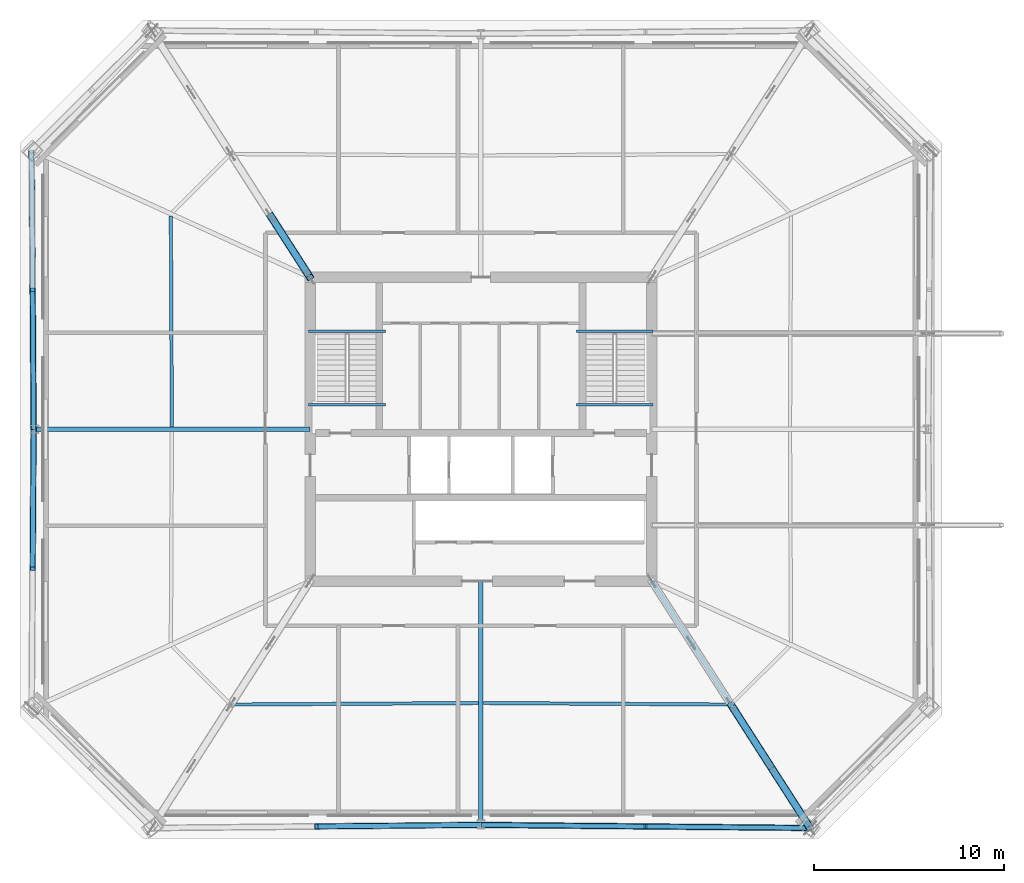
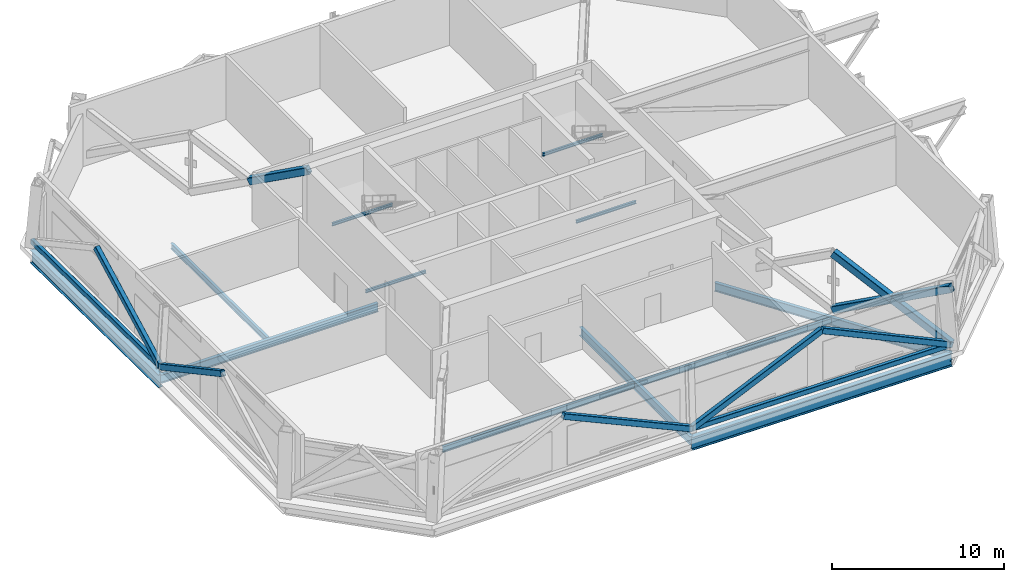
# One storey, part 3 of 15: 12 beams, 11 members.
"""IFC4 building model written with IfcOpenShell, lengths in metres."""

from ifc_helpers import new_model, si_unit, direction, frame, origin, origin_2d, place, context, subcontext, project, spatial, hollow_rectangle, i_section, extrude, material, material_profile, profile_set, type_object, element, save


model = new_model("IFC4")

# Units and contexts
model_context = context("Model", 3, precision=1e-05, world=origin(), true_north=direction((0.0, 1.0)))
body_context = subcontext(model_context, "Body", "Model", "MODEL_VIEW")
ifc_project = project(units=[si_unit("LENGTHUNIT", "METRE"), si_unit("AREAUNIT", "SQUARE_METRE"), si_unit("VOLUMEUNIT", "CUBIC_METRE"), si_unit("PLANEANGLEUNIT", "RADIAN"), si_unit("MASSUNIT", "GRAM", prefix="KILO")], contexts=[model_context])

# Site, building, storey
site_placement = place(None, origin())
site = spatial("IfcSite", under=ifc_project, at=site_placement, CompositionType="ELEMENT")
building_placement = place(site_placement, origin())
building = spatial("IfcBuilding", under=site, at=building_placement, Name="Caelvoria Tower", CompositionType="ELEMENT")
storey_placement = place(building_placement, frame((0.0, 0.0, 167.199951171875)))
storey = spatial("IfcBuildingStorey", under=building, at=storey_placement, Name="L44", CompositionType="ELEMENT", Elevation=167.199951171875)

# Members
ifc_material_1 = material(Name="Structural Steel ASTM A572 Gr.50", Category="steel")
ifc_material_profile_1 = material_profile(ifc_material_1, hollow_rectangle(XDim=0.25, YDim=0.35009765625, WallThickness=0.013916015625, InnerFilletRadius=0.013916015625, OuterFilletRadius=0.028076171875, at=origin_2d()), Name="Structural Steel ASTM A572 Gr.50")
ifc_profile_set_1 = profile_set([ifc_material_profile_1], Name="HSS350X250X14 - Structural Steel ASTM A572 Gr.50")
member_type_1 = type_object("IfcMemberType", Name="Belt Truss Chord Member HSS350X250X14", PredefinedType="CHORD", material=ifc_profile_set_1)
member_1_placement = place(storey_placement, frame((46.0, 11.159912109375, 0.25), z_axis=(0.999954850569, -0.009502464053, 0.0), x_axis=(0.009502464053, 0.999954850569, 0.0)))
element("IfcMember", 1, at=member_1_placement, inside=storey, type_object=member_type_1, Name="Belt Truss Bottom Chord L44-01", PredefinedType="CHORD", context=body_context, shape_type="SweptSolid", body=[
    extrude(hollow_rectangle(XDim=0.25, YDim=0.35009765625, WallThickness=0.013916015625, InnerFilletRadius=0.013916015625, OuterFilletRadius=0.028076171875, at=origin_2d()), origin(), (0.0, 0.0, 1.0), 17.34228515625),
])
member_2_placement = place(storey_placement, frame((22.33154296875, 46.7001953125, 0.25), z_axis=(0.007373744922, -0.999972813573, 0.0), x_axis=(0.999972813573, 0.007373744922, 0.0)))
element("IfcMember", 2, at=member_2_placement, inside=storey, type_object=member_type_1, Name="Belt Truss Bottom Chord L44-09", PredefinedType="CHORD", context=body_context, shape_type="SweptSolid", body=[
    extrude(hollow_rectangle(XDim=0.25, YDim=0.35009765625, WallThickness=0.013916015625, InnerFilletRadius=0.013916015625, OuterFilletRadius=0.028076171875, at=origin_2d()), origin(), (0.0, 0.0, 1.0), 14.70068359375),
])
ifc_material_profile_2 = material_profile(ifc_material_1, hollow_rectangle(XDim=0.300048828125, YDim=0.39990234375, WallThickness=0.01611328125, InnerFilletRadius=0.01611328125, OuterFilletRadius=0.031982421875, at=origin_2d()), Name="Structural Steel ASTM A572 Gr.50")
ifc_profile_set_2 = profile_set([ifc_material_profile_2], Name="HSS400X300X16 - Structural Steel ASTM A572 Gr.50")
member_type_2 = type_object("IfcMemberType", Name="Belt Truss Diagonal HSS400X300X16", PredefinedType="BRACE", material=ifc_profile_set_2)
for number, where, z_axis, x_axis, name in (
    (3, (37.3291015625, 11.07763671875, 4.22998046875), (0.908799889126, 0.008623312384, -0.417143140909), (-0.00948825403, 0.999954985505, 0.0), "Belt Truss Diagonal L44-00B"),
    (4, (46.0, 11.159912109375, 0.25), (0.908799889126, -0.008623312384, 0.417143140909), (0.00948825403, 0.999954985505, 0.0), "Belt Truss Diagonal L44-01A"),
):
    element("IfcMember", number, at=place(storey_placement, frame(where, z_axis=z_axis, x_axis=x_axis)), inside=storey, type_object=member_type_2, Name=name, PredefinedType="BRACE", context=body_context, shape_type="SweptSolid", body=[
        extrude(hollow_rectangle(XDim=0.300048828125, YDim=0.39990234375, WallThickness=0.01611328125, InnerFilletRadius=0.01611328125, OuterFilletRadius=0.031982421875, at=origin_2d()), origin(), (0.0, 0.0, 1.0), 9.541015625),
    ])
member_3_placement = place(storey_placement, frame((54.6708984375, 11.07763671875, 4.22998046875), z_axis=(0.908795233621, -0.008649100069, -0.4171527495), x_axis=(0.00951667447, 0.999954715428, 0.0)))
element("IfcMember", 5, at=member_3_placement, inside=storey, type_object=member_type_2, Name="Belt Truss Diagonal L44-01B", PredefinedType="BRACE", context=body_context, shape_type="SweptSolid", body=[
    extrude(hollow_rectangle(XDim=0.300048828125, YDim=0.39990234375, WallThickness=0.01611328125, InnerFilletRadius=0.01611328125, OuterFilletRadius=0.031982421875, at=origin_2d()), origin(), (0.0, 0.0, 1.0), 9.540771484375),
])
for number, where, z_axis, x_axis, name in (
    (6, (22.3857421875, 39.35009765625, 4.22998046875), (0.006484203153, -0.879339730318, -0.476150809926), (0.999972813573, 0.007373744922, 0.0), "Belt Truss Diagonal L44-09B"),
    (7, (22.43994140625, 32.0, 0.25), (-0.006484203153, -0.879339730318, 0.476150809926), (0.999972813573, -0.007373744922, 0.0), "Belt Truss Diagonal L44-10A"),
):
    element("IfcMember", number, at=place(storey_placement, frame(where, z_axis=z_axis, x_axis=x_axis)), inside=storey, type_object=member_type_2, Name=name, PredefinedType="BRACE", context=body_context, shape_type="SweptSolid", body=[
        extrude(hollow_rectangle(XDim=0.300048828125, YDim=0.39990234375, WallThickness=0.01611328125, InnerFilletRadius=0.01611328125, OuterFilletRadius=0.031982421875, at=origin_2d()), origin(), (0.0, 0.0, 1.0), 8.358642578125),
    ])

# Beams
ifc_material_2 = material(Name="Structural Steel ASTM A992 Gr.50", Category="steel")
ifc_material_profile_3 = material_profile(ifc_material_2, i_section(OverallWidth=0.134033203125, OverallDepth=0.2099609375, WebThickness=0.00634765625, FlangeThickness=0.01025390625, FilletRadius=0.010009765625, at=origin_2d()), Name="Structural Steel ASTM A992 Gr.50")
ifc_profile_set_3 = profile_set([ifc_material_profile_3], Name="W200X31.3 - Structural Steel ASTM A992 Gr.50")
beam_type_1 = type_object("IfcBeamType", Name="Canopy Edge Trim Beam W200X31.3", PredefinedType="BEAM", material=ifc_profile_set_3)
for number, where, z_axis, x_axis, name in (
    (8, (36.929931640625, 37.175048828125, 2.094970703125), (1.0, 0.0, 0.0), (0.0, 1.0, 0.0), "ST-01 Half-Landing Support Beam L44"),
    (9, (36.929931640625, 33.300048828125, -0.304931640625), (1.0, 0.0, 0.0), (0.0, 1.0, 0.0), "ST-01 Floor-Landing Support Beam L44"),
    (10, (51.030029296875, 37.175048828125, 2.094970703125), (1.0, 0.0, 0.0), (0.0, 1.0, 0.0), "ST-02 Half-Landing Support Beam L44"),
    (11, (51.030029296875, 33.300048828125, -0.304931640625), (1.0, 0.0, 0.0), (0.0, 1.0, 0.0), "ST-02 Floor-Landing Support Beam L44"),
):
    element("IfcBeam", number, at=place(storey_placement, frame(where, z_axis=z_axis, x_axis=x_axis)), inside=storey, type_object=beam_type_1, Name=name, PredefinedType="BEAM", context=body_context, shape_type="SweptSolid", body=[
        extrude(i_section(OverallWidth=0.134033203125, OverallDepth=0.2099609375, WebThickness=0.00634765625, FlangeThickness=0.01025390625, FilletRadius=0.010009765625, at=origin_2d()), origin(), (0.0, 0.0, 1.0), 4.0400390625),
    ])

# Members
ifc_material_profile_4 = material_profile(ifc_material_1, hollow_rectangle(XDim=0.39990234375, YDim=0.5, WallThickness=0.02197265625, InnerFilletRadius=0.02197265625, OuterFilletRadius=0.0439453125, at=origin_2d()), Name="Structural Steel ASTM A572 Gr.50")
ifc_profile_set_4 = profile_set([ifc_material_profile_4], Name="HSS500X400X22 - Structural Steel ASTM A572 Gr.50")
member_type_3 = type_object("IfcMemberType", Name="Outrigger Diagonal HSS500X400X22", PredefinedType="BRACE", material=ifc_profile_set_4)
member_4_placement = place(storey_placement, frame((59.1708984375, 17.49755859375, 0.25), z_axis=(0.479936421488, -0.748265916403, 0.457994704859), x_axis=(0.841736627266, 0.539888368386, 0.0)))
element("IfcMember", 12, at=member_4_placement, inside=storey, type_object=member_type_3, Name="Outrigger Truss Diagonal L44-SE-2A", PredefinedType="BRACE", context=body_context, shape_type="SweptSolid", body=[
    extrude(hollow_rectangle(XDim=0.39990234375, YDim=0.5, WallThickness=0.02197265625, InnerFilletRadius=0.02197265625, OuterFilletRadius=0.0439453125, at=origin_2d()), origin(), (0.0, 0.0, 1.0), 8.68994140625),
])
for number, where, z_axis, x_axis, name in (
    (13, (59.1708984375, 17.49755859375, 4.22998046875), (0.479914797896, -0.74827600557, -0.458000880183), (0.841750989382, 0.539865975844, 0.0), "Outrigger Truss Diagonal L44-SE-2B1"),
    (14, (61.256103515625, 14.246337890625, 2.239990234375), (0.479958044206, -0.748255827054, -0.457988529422), (0.841722265045, 0.539910759782, 0.0), "Outrigger Truss Diagonal L44-SE-2B2"),
    (15, (37.0, 40.0, 4.22998046875), (-0.479958044206, 0.748255827054, -0.457988529422), (-0.841722265045, -0.539910759782, 0.0), "Outrigger Truss Diagonal L44-NW-1B1"),
):
    element("IfcMember", number, at=place(storey_placement, frame(where, z_axis=z_axis, x_axis=x_axis)), inside=storey, type_object=member_type_3, Name=name, PredefinedType="BRACE", context=body_context, shape_type="SweptSolid", body=[
        extrude(hollow_rectangle(XDim=0.39990234375, YDim=0.5, WallThickness=0.02197265625, InnerFilletRadius=0.02197265625, OuterFilletRadius=0.0439453125, at=origin_2d()), origin(), (0.0, 0.0, 1.0), 4.344970703125),
    ])

# Beams
ifc_material_profile_5 = material_profile(ifc_material_2, i_section(OverallWidth=0.30810546875, OverallDepth=0.927001953125, WebThickness=0.019287109375, FlangeThickness=0.031982421875, FilletRadius=0.02392578125, at=origin_2d()), Name="Structural Steel ASTM A992 Gr.50")
ifc_profile_set_5 = profile_set([ifc_material_profile_5], Name="W920X289 - Structural Steel ASTM A992 Gr.50")
beam_type_2 = type_object("IfcBeamType", Name="Outrigger Tie Girder W920X289", PredefinedType="BEAM", material=ifc_profile_set_5)
beam_1_placement = place(storey_placement, frame((46.0, 11.159912109375, -0.783447265625), z_axis=(0.999954850569, -0.009502464053, 0.0), x_axis=(0.009502464053, 0.999954850569, 0.0)))
element("IfcBeam", 16, at=beam_1_placement, inside=storey, type_object=beam_type_2, Name="Perimeter Spandrel Girder L44-01", PredefinedType="BEAM", context=body_context, shape_type="SweptSolid", body=[
    extrude(i_section(OverallWidth=0.30810546875, OverallDepth=0.927001953125, WebThickness=0.019287109375, FlangeThickness=0.031982421875, FilletRadius=0.02392578125, at=origin_2d()), origin(), (0.0, 0.0, 1.0), 17.34228515625),
])
beam_2_placement = place(storey_placement, frame((22.33154296875, 46.7001953125, -0.783447265625), z_axis=(0.007373744922, -0.999972813573, 0.0), x_axis=(0.999972813573, 0.007373744922, 0.0)))
element("IfcBeam", 17, at=beam_2_placement, inside=storey, type_object=beam_type_2, Name="Perimeter Spandrel Girder L44-09", PredefinedType="BEAM", context=body_context, shape_type="SweptSolid", body=[
    extrude(i_section(OverallWidth=0.30810546875, OverallDepth=0.927001953125, WebThickness=0.019287109375, FlangeThickness=0.031982421875, FilletRadius=0.02392578125, at=origin_2d()), origin(), (0.0, 0.0, 1.0), 14.70068359375),
])
ifc_material_profile_6 = material_profile(ifc_material_2, i_section(OverallWidth=0.22802734375, OverallDepth=0.60302734375, WebThickness=0.010498046875, FlangeThickness=0.014892578125, FilletRadius=0.01806640625, at=origin_2d()), Name="Structural Steel ASTM A992 Gr.50")
ifc_profile_set_6 = profile_set([ifc_material_profile_6], Name="W610X101 - Structural Steel ASTM A992 Gr.50")
beam_type_3 = type_object("IfcBeamType", Name="Primary Floor Girder W610X101", PredefinedType="BEAM", material=ifc_profile_set_6)
beam_3_placement = place(storey_placement, frame((46.0, 24.0, -0.621337890625), z_axis=(0.0, -1.0, 0.0), x_axis=(1.0, 0.0, 0.0)))
element("IfcBeam", 18, at=beam_3_placement, inside=storey, type_object=beam_type_3, Name="Primary Floor Girder L44-01", PredefinedType="BEAM", context=body_context, shape_type="SweptSolid", body=[
    extrude(i_section(OverallWidth=0.22802734375, OverallDepth=0.60302734375, WebThickness=0.010498046875, FlangeThickness=0.014892578125, FilletRadius=0.01806640625, at=origin_2d()), origin(), (0.0, 0.0, 1.0), 12.840087890625),
])
beam_4_placement = place(storey_placement, frame((55.0, 24.0, -0.621337890625), z_axis=(0.539899564227, -0.841729446169, 0.0), x_axis=(0.841729446169, 0.539899564227, 0.0)))
element("IfcBeam", 19, at=beam_4_placement, inside=storey, type_object=beam_type_3, Name="Primary Floor Girder L44-02", PredefinedType="BEAM", context=body_context, shape_type="SweptSolid", body=[
    extrude(i_section(OverallWidth=0.22802734375, OverallDepth=0.60302734375, WebThickness=0.010498046875, FlangeThickness=0.014892578125, FilletRadius=0.01806640625, at=origin_2d()), origin(), (0.0, 0.0, 1.0), 15.4501953125),
])
beam_5_placement = place(storey_placement, frame((37.0, 32.0, -0.621337890625), z_axis=(-1.0, 0.0, 0.0), x_axis=(0.0, -1.0, 0.0)))
element("IfcBeam", 20, at=beam_5_placement, inside=storey, type_object=beam_type_3, Name="Primary Floor Girder L44-10", PredefinedType="BEAM", context=body_context, shape_type="SweptSolid", body=[
    extrude(i_section(OverallWidth=0.22802734375, OverallDepth=0.60302734375, WebThickness=0.010498046875, FlangeThickness=0.014892578125, FilletRadius=0.01806640625, at=origin_2d()), origin(), (0.0, 0.0, 1.0), 14.56005859375),
])
ifc_material_profile_7 = material_profile(ifc_material_2, i_section(OverallWidth=0.177978515625, OverallDepth=0.406982421875, WebThickness=0.0078125, FlangeThickness=0.0126953125, FilletRadius=0.013916015625, at=origin_2d()), Name="Structural Steel ASTM A992 Gr.50")
ifc_profile_set_7 = profile_set([ifc_material_profile_7], Name="W410X60 - Structural Steel ASTM A992 Gr.50")
beam_type_4 = type_object("IfcBeamType", Name="Secondary Floor Beam W410X60", PredefinedType="BEAM", material=ifc_profile_set_7)
for number, where, z_axis, x_axis, name in (
    (21, (32.9541015625, 17.498291015625, -0.5234375), (0.999980442744, 0.006254129063, 0.0), (-0.006254129063, 0.999980442744, 0.0), "Secondary Floor Beam L44-00"),
    (22, (46.125, 17.5791015625, -0.5234375), (0.999980442744, -0.006254129063, 0.0), (0.006254129063, 0.999980442744, 0.0), "Secondary Floor Beam L44-01"),
):
    element("IfcBeam", number, at=place(storey_placement, frame(where, z_axis=z_axis, x_axis=x_axis)), inside=storey, type_object=beam_type_4, Name=name, PredefinedType="BEAM", context=body_context, shape_type="SweptSolid", body=[
        extrude(i_section(OverallWidth=0.177978515625, OverallDepth=0.406982421875, WebThickness=0.0078125, FlangeThickness=0.0126953125, FilletRadius=0.013916015625, at=origin_2d()), origin(), (0.0, 0.0, 1.0), 12.921142578125),
    ])
beam_6_placement = place(storey_placement, frame((29.66650390625, 43.22509765625, -0.5234375), z_axis=(0.004772742895, -0.999988610398, 0.0), x_axis=(0.999988610398, 0.004772742895, 0.0)))
element("IfcBeam", 23, at=beam_6_placement, inside=storey, type_object=beam_type_4, Name="Secondary Floor Beam L44-09", PredefinedType="BEAM", context=body_context, shape_type="SweptSolid", body=[
    extrude(i_section(OverallWidth=0.177978515625, OverallDepth=0.406982421875, WebThickness=0.0078125, FlangeThickness=0.0126953125, FilletRadius=0.013916015625, at=origin_2d()), origin(), (0.0, 0.0, 1.0), 11.100341796875),
])

save(model, "model.ifc")
